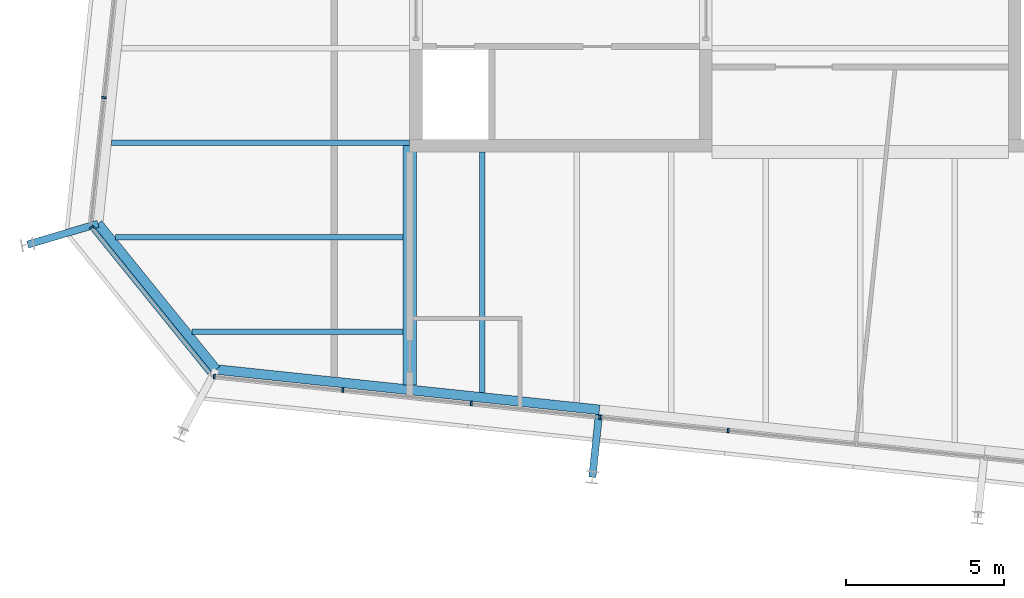
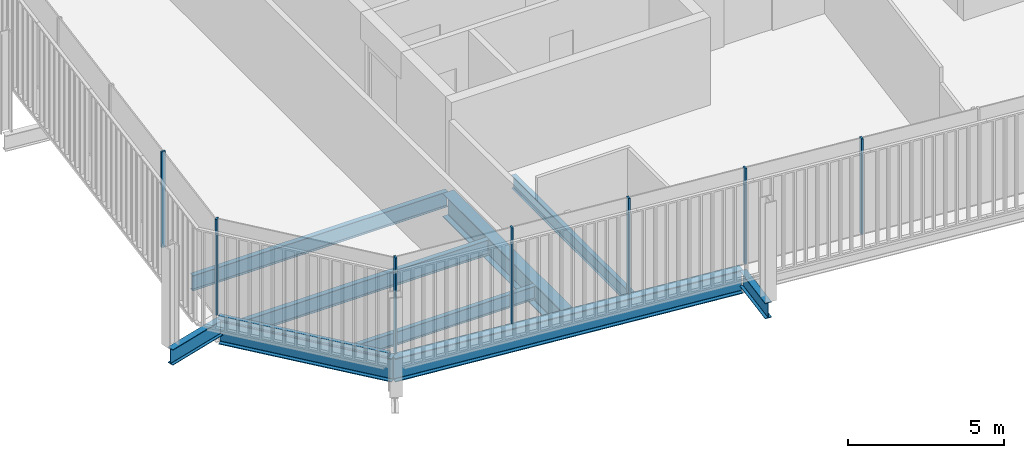
# One storey, part 3 of 19: 9 beams, 8 members, 3 elements without a shape of their own.
"""IFC4 building model written with IfcOpenShell, lengths in metres."""

from ifc_helpers import new_model, si_unit, direction, frame, origin, origin_2d, place, context, subcontext, project, spatial, rectangle, i_section, extrude, material, layer, layer_set, material_profile, profile_set, type_object, element, aggregate, save


model = new_model("IFC4")

# Units and contexts
model_context = context("Model", 3, precision=1e-05, world=origin(), true_north=direction((0.0, 1.0)))
body_context = subcontext(model_context, "Body", "Model", "MODEL_VIEW")
ifc_project = project(units=[si_unit("LENGTHUNIT", "METRE"), si_unit("AREAUNIT", "SQUARE_METRE"), si_unit("VOLUMEUNIT", "CUBIC_METRE"), si_unit("PLANEANGLEUNIT", "RADIAN"), si_unit("MASSUNIT", "GRAM", prefix="KILO")], contexts=[model_context])

# Site, building, storey
site_placement = place(None, origin())
site = spatial("IfcSite", under=ifc_project, at=site_placement, CompositionType="ELEMENT")
building_placement = place(site_placement, origin())
building = spatial("IfcBuilding", under=site, at=building_placement, Name="Millrace Tower", CompositionType="ELEMENT")
storey_placement = place(building_placement, frame((0.0, 0.0, 338.199951171875)))
storey = spatial("IfcBuildingStorey", under=building, at=storey_placement, Name="L78", CompositionType="ELEMENT", Elevation=338.199951171875)

# Curtain wall, member
ifc_material_1 = material(Name="Aluminium and glass", Category="aluminium")
ifc_layer = layer(ifc_material_1, 0.14990234375)
ifc_layer_set = layer_set([ifc_layer], Name="Aluminium and glass")
curtain_wall_type = type_object("IfcCurtainWallType", Name="CW-1 office vision curtain wall", PredefinedType="NOTDEFINED", material=ifc_layer_set)
placement = place(storey_placement, origin())
curtain_wall_1 = element("IfcCurtainWall", 1, at=placement, inside=storey, type_object=curtain_wall_type, Name="Curtain wall E-F01 L78", PredefinedType="NOTDEFINED")
ifc_material_2 = material(Name="Aluminium", Category="aluminium")
ifc_material_profile_1 = material_profile(ifc_material_2, rectangle(XDim=0.06494140625, YDim=0.14990234375, at=origin_2d()))
ifc_profile_set_1 = profile_set([ifc_material_profile_1], Name="Aluminium")
member_type_1 = type_object("IfcMemberType", Name="CW-1 office vision curtain wall mullion", PredefinedType="MULLION", material=ifc_profile_set_1)
member_1_placement = place(storey_placement, frame((-24.391845703125, -11.693359375, 0.14013671875), z_axis=(0.0, 0.0, 1.0), x_axis=(0.629320278945, -0.777146052237, 0.0)))
member_1 = element("IfcMember", 2, at=member_1_placement, type_object=member_type_1, Name="CW1 mullion E-F01.1", PredefinedType="MULLION", context=body_context, shape_type="SweptSolid", body=[
    extrude(rectangle(XDim=0.06494140625, YDim=0.14990234375, at=origin_2d()), origin(), (0.0, 0.0, 1.0), 3.760009765625),
])

# Curtain wall, members
curtain_wall_2 = element("IfcCurtainWall", 3, at=placement, inside=storey, type_object=curtain_wall_type, Name="Curtain wall E-F02 L78", PredefinedType="NOTDEFINED")
member_2_placement = place(storey_placement, frame((-20.50244140625, -16.4248046875, 0.14013671875), z_axis=(0.0, 0.0, 1.0), x_axis=(0.994521896217, -0.104528455196, 0.0)))
member_2 = element("IfcMember", 4, at=member_2_placement, type_object=member_type_1, Name="CW1 mullion E-F02.1", PredefinedType="MULLION", context=body_context, shape_type="SweptSolid", body=[
    extrude(rectangle(XDim=0.06494140625, YDim=0.14990234375, at=origin_2d()), origin(), (0.0, 0.0, 1.0), 3.760009765625),
])
member_3_placement = place(storey_placement, frame((-16.425048828125, -16.853271484375, 0.14013671875), z_axis=(0.0, 0.0, 1.0), x_axis=(0.994521896217, -0.104528455196, 0.0)))
member_3 = element("IfcMember", 5, at=member_3_placement, type_object=member_type_1, Name="CW1 mullion E-F02.2", PredefinedType="MULLION", context=body_context, shape_type="SweptSolid", body=[
    extrude(rectangle(XDim=0.06494140625, YDim=0.14990234375, at=origin_2d()), origin(), (0.0, 0.0, 1.0), 3.760009765625),
])
member_4_placement = place(storey_placement, frame((-12.347412109375, -17.281982421875, 0.14013671875), z_axis=(0.0, 0.0, 1.0), x_axis=(0.994521896217, -0.104528455196, 0.0)))
member_4 = element("IfcMember", 6, at=member_4_placement, type_object=member_type_1, Name="CW1 mullion E-F02.3", PredefinedType="MULLION", context=body_context, shape_type="SweptSolid", body=[
    extrude(rectangle(XDim=0.06494140625, YDim=0.14990234375, at=origin_2d()), origin(), (0.0, 0.0, 1.0), 3.760009765625),
])
member_5_placement = place(storey_placement, frame((-8.269775390625, -17.71044921875, 0.14013671875), z_axis=(0.0, 0.0, 1.0), x_axis=(0.994521896217, -0.104528455196, 0.0)))
member_5 = element("IfcMember", 7, at=member_5_placement, type_object=member_type_1, Name="CW1 mullion E-F02.4", PredefinedType="MULLION", context=body_context, shape_type="SweptSolid", body=[
    extrude(rectangle(XDim=0.06494140625, YDim=0.14990234375, at=origin_2d()), origin(), (0.0, 0.0, 1.0), 3.760009765625),
])
member_6_placement = place(storey_placement, frame((-4.1923828125, -18.13916015625, 0.14013671875), z_axis=(0.0, 0.0, 1.0), x_axis=(0.994521896217, -0.104528455196, 0.0)))
member_6 = element("IfcMember", 8, at=member_6_placement, type_object=member_type_1, Name="CW1 mullion E-F02.5", PredefinedType="MULLION", context=body_context, shape_type="SweptSolid", body=[
    extrude(rectangle(XDim=0.06494140625, YDim=0.14990234375, at=origin_2d()), origin(), (0.0, 0.0, 1.0), 3.760009765625),
])
aggregate(curtain_wall_2, [member_2, member_3, member_4, member_5, member_6])

# Curtain wall, member
curtain_wall_3 = element("IfcCurtainWall", 9, at=placement, inside=storey, type_object=curtain_wall_type, Name="Curtain wall E-F08 L78", PredefinedType="NOTDEFINED")
member_7_placement = place(storey_placement, frame((-24.00341796875, -7.56787109375, 0.14013671875), z_axis=(0.0, 0.0, 1.0), x_axis=(-0.104528455196, -0.994521896217, 0.0)))
member_7 = element("IfcMember", 10, at=member_7_placement, type_object=member_type_1, Name="CW1 mullion E-F08.9", PredefinedType="MULLION", context=body_context, shape_type="SweptSolid", body=[
    extrude(rectangle(XDim=0.06494140625, YDim=0.14990234375, at=origin_2d()), origin(), (0.0, 0.0, 1.0), 3.760009765625),
])
aggregate(curtain_wall_3, [member_7])

# Member
ifc_material_3 = material(Name="Aluminium", Category="aluminium")
ifc_material_profile_2 = material_profile(ifc_material_3, rectangle(XDim=0.14990234375, YDim=0.139892578125, at=origin_2d()))
ifc_profile_set_2 = profile_set([ifc_material_profile_2], Name="Aluminium")
member_type_2 = type_object("IfcMemberType", Name="CW-1 office vision curtain wall transom", PredefinedType="USERDEFINED", material=ifc_profile_set_2)
member_8_placement = place(storey_placement, frame((-24.349365234375, -11.745849609375, 0.070068359375), z_axis=(0.629321221277, -0.777145289151, 0.0), x_axis=(0.777145289151, 0.629321221277, 0.0)))
member_8 = element("IfcMember", 11, at=member_8_placement, type_object=member_type_2, Name="CW1 transom E-F01.1", ObjectType="TRANSOM", PredefinedType="USERDEFINED", context=body_context, shape_type="SweptSolid", body=[
    extrude(rectangle(XDim=0.14990234375, YDim=0.139892578125, at=origin_2d()), origin(), (0.0, 0.0, 1.0), 5.881103515625),
])

aggregate(curtain_wall_1, [member_1, member_8])

# Beams
ifc_material_4 = material(Name="Steel ASTM A992 Grade 50", Category="steel")
ifc_material_profile_3 = material_profile(ifc_material_4, i_section(OverallWidth=0.1650390625, OverallDepth=0.52587890625, WebThickness=0.0087890625, FlangeThickness=0.011474609375, FilletRadius=0.0126953125, at=origin_2d()))
ifc_profile_set_3 = profile_set([ifc_material_profile_3], Name="Steel ASTM A992 Grade 50")
beam_type_1 = type_object("IfcBeamType", Name="Floor beam W21x44", PredefinedType="JOIST", material=ifc_profile_set_3)
beam_1_placement = place(storey_placement, frame((-12.0, -16.93408203125, -0.4228515625), z_axis=(0.0, 1.0, 0.0), x_axis=(-1.0, 0.0, 0.0)))
element("IfcBeam", 12, at=beam_1_placement, inside=storey, type_object=beam_type_1, Name="BM-E-L78-S1-S037", PredefinedType="JOIST", context=body_context, shape_type="SweptSolid", body=[
    extrude(i_section(OverallWidth=0.1650390625, OverallDepth=0.52587890625, WebThickness=0.0087890625, FlangeThickness=0.011474609375, FilletRadius=0.0126953125, at=origin_2d()), origin(), (0.0, 0.0, 1.0), 7.634033203125),
])
beam_2_placement = place(storey_placement, frame((-21.214111328125, -15.0, -0.4228515625), z_axis=(1.0, 0.0, 0.0), x_axis=(0.0, 1.0, 0.0)))
element("IfcBeam", 13, at=beam_2_placement, inside=storey, type_object=beam_type_1, Name="BM-E-L78-S1-S002", PredefinedType="JOIST", context=body_context, shape_type="SweptSolid", body=[
    extrude(i_section(OverallWidth=0.1650390625, OverallDepth=0.52587890625, WebThickness=0.0087890625, FlangeThickness=0.011474609375, FilletRadius=0.0126953125, at=origin_2d()), origin(), (0.0, 0.0, 1.0), 6.70458984375),
])
ifc_material_5 = material(Name="Steel ASTM A992 Grade 50", Category="steel")
ifc_material_profile_4 = material_profile(ifc_material_5, i_section(OverallWidth=0.177978515625, OverallDepth=0.599365234375, WebThickness=0.010009765625, FlangeThickness=0.012939453125, FilletRadius=0.012939453125, at=origin_2d()))
ifc_profile_set_4 = profile_set([ifc_material_profile_4], Name="Steel ASTM A992 Grade 50")
beam_type_2 = type_object("IfcBeamType", Name="Floor beam W24x55", PredefinedType="JOIST", material=ifc_profile_set_4)
beam_3_placement = place(storey_placement, frame((-23.76953125, -9.0, -0.459716796875), z_axis=(1.0, 0.0, 0.0), x_axis=(0.0, 1.0, 0.0)))
element("IfcBeam", 14, at=beam_3_placement, inside=storey, type_object=beam_type_2, Name="BM-E-L78-S1-S006", PredefinedType="JOIST", context=body_context, shape_type="SweptSolid", body=[
    extrude(i_section(OverallWidth=0.177978515625, OverallDepth=0.599365234375, WebThickness=0.010009765625, FlangeThickness=0.012939453125, FilletRadius=0.012939453125, at=origin_2d()), origin(), (0.0, 0.0, 1.0), 9.469482421875),
])
beam_4_placement = place(storey_placement, frame((-23.635498046875, -12.0, -0.459716796875), z_axis=(1.0, 0.0, 0.0), x_axis=(0.0, 1.0, 0.0)))
element("IfcBeam", 15, at=beam_4_placement, inside=storey, type_object=beam_type_2, Name="BM-E-L78-S1-S004", PredefinedType="JOIST", context=body_context, shape_type="SweptSolid", body=[
    extrude(i_section(OverallWidth=0.177978515625, OverallDepth=0.599365234375, WebThickness=0.010009765625, FlangeThickness=0.012939453125, FilletRadius=0.012939453125, at=origin_2d()), origin(), (0.0, 0.0, 1.0), 9.1259765625),
])
ifc_material_6 = material(Name="Steel ASTM A992 Grade 50", Category="steel")
ifc_material_profile_5 = material_profile(ifc_material_6, i_section(OverallWidth=0.419189453125, OverallDepth=0.927001953125, WebThickness=0.019287109375, FlangeThickness=0.031982421875, FilletRadius=0.024169921875, at=origin_2d()))
ifc_profile_set_5 = profile_set([ifc_material_profile_5], Name="Steel ASTM A992 Grade 50")
beam_type_3 = type_object("IfcBeamType", Name="Girder short span W36x231", PredefinedType="BEAM", material=ifc_profile_set_5)
beam_5_placement = place(storey_placement, frame((-14.300048828125, -16.6923828125, -0.62353515625), z_axis=(0.0, 1.0, 0.0), x_axis=(-1.0, 0.0, 0.0)))
element("IfcBeam", 16, at=beam_5_placement, inside=storey, type_object=beam_type_3, Name="BM-E-L78-S1-G055", PredefinedType="BEAM", context=body_context, shape_type="SweptSolid", body=[
    extrude(i_section(OverallWidth=0.419189453125, OverallDepth=0.927001953125, WebThickness=0.019287109375, FlangeThickness=0.031982421875, FilletRadius=0.024169921875, at=origin_2d()), origin(), (0.0, 0.0, 1.0), 7.600341796875),
])
ifc_material_7 = material(Name="Steel ASTM A992 Grade 50", Category="steel")
ifc_material_profile_6 = material_profile(ifc_material_7, i_section(OverallWidth=0.23046875, OverallDepth=0.6171875, WebThickness=0.01318359375, FlangeThickness=0.022216796875, FilletRadius=0.012939453125, at=origin_2d()))
ifc_profile_set_6 = profile_set([ifc_material_profile_6], Name="Steel ASTM A992 Grade 50")
beam_type_4 = type_object("IfcBeamType", Name="Link beam W24x94", PredefinedType="BEAM", material=ifc_profile_set_6)
beam_6_placement = place(storey_placement, frame((-24.1943359375, -11.57373046875, -0.468505859375), z_axis=(-0.958815015936, -0.284031275065, 0.0), x_axis=(0.284031275065, -0.958815015936, 0.0)))
element("IfcBeam", 17, at=beam_6_placement, inside=storey, type_object=beam_type_4, Name="LNK-E-L78-S1-01", PredefinedType="BEAM", context=body_context, shape_type="SweptSolid", body=[
    extrude(i_section(OverallWidth=0.23046875, OverallDepth=0.6171875, WebThickness=0.01318359375, FlangeThickness=0.022216796875, FilletRadius=0.012939453125, at=origin_2d()), origin(), (0.0, 0.0, 1.0), 2.3310546875),
])
beam_7_placement = place(storey_placement, frame((-8.29443359375, -17.632568359375, -0.468505859375), z_axis=(-0.104494148666, -0.99452550138, 0.0), x_axis=(0.99452550138, -0.104494148666, 0.0)))
element("IfcBeam", 18, at=beam_7_placement, inside=storey, type_object=beam_type_4, Name="LNK-E-L78-S1-15", PredefinedType="BEAM", context=body_context, shape_type="SweptSolid", body=[
    extrude(i_section(OverallWidth=0.23046875, OverallDepth=0.6171875, WebThickness=0.01318359375, FlangeThickness=0.022216796875, FilletRadius=0.012939453125, at=origin_2d()), origin(), (0.0, 0.0, 1.0), 2.0),
])
ifc_material_8 = material(Name="Steel ASTM A992 Grade 50", Category="steel")
ifc_material_profile_7 = material_profile(ifc_material_8, i_section(OverallWidth=0.307373046875, OverallDepth=0.927001953125, WebThickness=0.01953125, FlangeThickness=0.031982421875, FilletRadius=0.01904296875, at=origin_2d()))
ifc_profile_set_7 = profile_set([ifc_material_profile_7], Name="Steel ASTM A992 Grade 50")
beam_type_5 = type_object("IfcBeamType", Name="Ring beam medium span W36x194", PredefinedType="SPANDREL", material=ifc_profile_set_7)
beam_8_placement = place(storey_placement, frame((-8.2783203125, -17.479736328125, -0.62353515625), z_axis=(-0.994521730693, 0.104530030035, 0.0), x_axis=(-0.104530030035, -0.994521730693, 0.0)))
element("IfcBeam", 19, at=beam_8_placement, inside=storey, type_object=beam_type_5, Name="RNG-E-L78-S1-15", PredefinedType="SPANDREL", context=body_context, shape_type="SweptSolid", body=[
    extrude(i_section(OverallWidth=0.307373046875, OverallDepth=0.927001953125, WebThickness=0.01953125, FlangeThickness=0.031982421875, FilletRadius=0.01904296875, at=origin_2d()), origin(), (0.0, 0.0, 1.0), 12.236328125),
])
ifc_material_9 = material(Name="Steel ASTM A992 Grade 50", Category="steel")
ifc_material_profile_8 = material_profile(ifc_material_9, i_section(OverallWidth=0.307373046875, OverallDepth=0.927001953125, WebThickness=0.01953125, FlangeThickness=0.031982421875, FilletRadius=0.01904296875, at=origin_2d()))
ifc_profile_set_8 = profile_set([ifc_material_profile_8], Name="Steel ASTM A992 Grade 50")
beam_type_6 = type_object("IfcBeamType", Name="Ring beam short span W36x194", PredefinedType="SPANDREL", material=ifc_profile_set_8)
beam_9_placement = place(storey_placement, frame((-20.447509765625, -16.20068359375, -0.62353515625), z_axis=(-0.629319722443, 0.777146502883, 0.0), x_axis=(-0.777146502883, -0.629319722443, 0.0)))
element("IfcBeam", 20, at=beam_9_placement, inside=storey, type_object=beam_type_6, Name="RNG-E-L78-S1-16", PredefinedType="SPANDREL", context=body_context, shape_type="SweptSolid", body=[
    extrude(i_section(OverallWidth=0.307373046875, OverallDepth=0.927001953125, WebThickness=0.01953125, FlangeThickness=0.031982421875, FilletRadius=0.01904296875, at=origin_2d()), origin(), (0.0, 0.0, 1.0), 5.953857421875),
])

save(model, "model.ifc")
